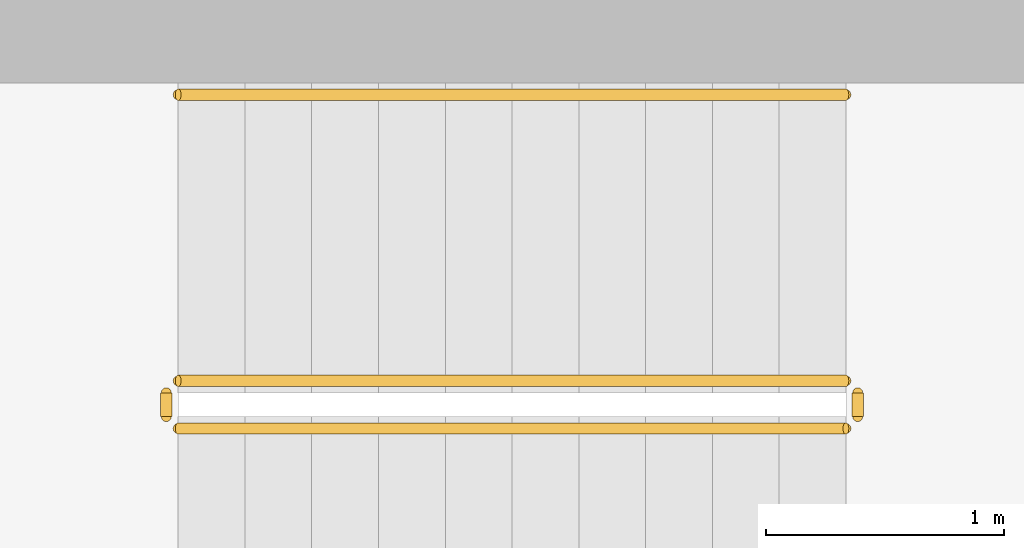
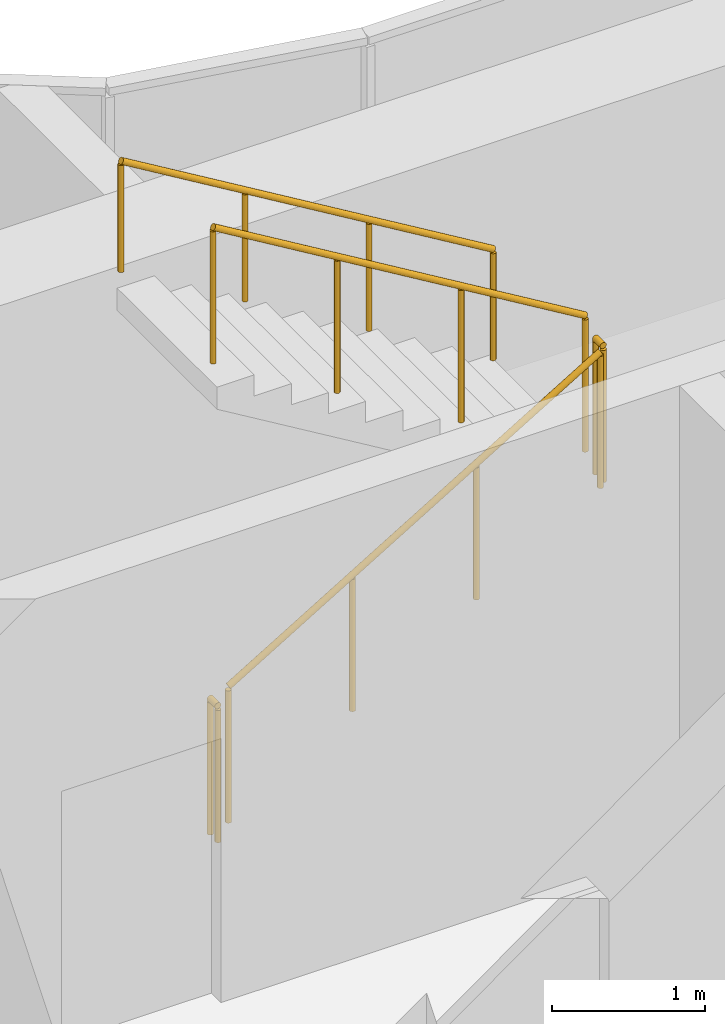
# One storey, part 19 of 22: 5 railings.
"""IFC4 building model written with IfcOpenShell, lengths in metres."""

from ifc_helpers import new_model, si_unit, direction, frame, origin, origin_2d, place, context, subcontext, project, spatial, circle, extrude, material, type_object, element, save


model = new_model("IFC4")

# Units and contexts
model_context = context("Model", 3, precision=1e-05, world=origin(), true_north=direction((0.0, 1.0)))
body_context = subcontext(model_context, "Body", "Model", "MODEL_VIEW")
ifc_project = project(units=[si_unit("LENGTHUNIT", "METRE"), si_unit("AREAUNIT", "SQUARE_METRE"), si_unit("VOLUMEUNIT", "CUBIC_METRE"), si_unit("PLANEANGLEUNIT", "RADIAN"), si_unit("MASSUNIT", "GRAM", prefix="KILO")], contexts=[model_context])

# Site, building, storey
site_placement = place(None, origin())
site = spatial("IfcSite", under=ifc_project, at=site_placement, CompositionType="ELEMENT")
building_placement = place(site_placement, origin())
building = spatial("IfcBuilding", under=site, at=building_placement, Name="Ogive Portal Towers", CompositionType="ELEMENT")
storey_placement = place(building_placement, frame((0.0, 0.0, 113.0)))
storey = spatial("IfcBuildingStorey", under=building, at=storey_placement, Name="L27", CompositionType="ELEMENT", Elevation=113.0)

# Railings
ifc_material_1 = material(Name="Stainless steel balustrade", Category="steel")
railing_type_1 = type_object("IfcRailingType", Name="INT-GUARD", PredefinedType="GUARDRAIL", material=ifc_material_1)
railing_1_placement = place(storey_placement, frame((52.550048828125, 37.60009765625, 0.168212890625)))
element("IfcRailing", 1, at=railing_1_placement, inside=storey, type_object=railing_type_1, Name="L27 ST-A2 stair guard 1", PredefinedType="GUARDRAIL", context=body_context, shape_type="SweptSolid", body=[
    extrude(circle(Radius=0.02392578125, at=origin_2d()), frame((0.0, 0.0, 1.076171875), z_axis=(0.857242210791, 0.0, 0.514913383045), x_axis=(0.0, 1.0, 0.0)), (0.0, 0.0, 1.0), 3.266357421875),
    extrude(circle(Radius=0.02099609375, at=origin_2d()), origin(), (0.0, 0.0, 1.0), 1.052001953125),
    extrude(circle(Radius=0.02099609375, at=origin_2d()), frame((0.933349609375, 0.0, 0.560546875)), (0.0, 0.0, 1.0), 1.052001953125),
    extrude(circle(Radius=0.02099609375, at=origin_2d()), frame((1.86669921875, 0.0, 1.121337890625)), (0.0, 0.0, 1.0), 1.052001953125),
    extrude(circle(Radius=0.02099609375, at=origin_2d()), frame((2.800048828125, 0.0, 1.681884765625)), (0.0, 0.0, 1.0), 1.052001953125),
])
railing_2_placement = place(storey_placement, frame((55.39990234375, 37.64990234375, 1.85009765625)))
element("IfcRailing", 2, at=railing_2_placement, inside=storey, type_object=railing_type_1, Name="L27 ST-A2 stair guard 2", PredefinedType="GUARDRAIL", context=body_context, shape_type="SweptSolid", body=[
    extrude(circle(Radius=0.02392578125, at=origin_2d()), frame((0.0, 0.0, 1.076171875), z_axis=(0.0, 1.0, 0.0), x_axis=(-1.0, 0.0, 0.0)), (0.0, 0.0, 1.0), 0.10009765625),
    extrude(circle(Radius=0.02099609375, at=origin_2d()), origin(), (0.0, 0.0, 1.0), 1.052001953125),
    extrude(circle(Radius=0.02099609375, at=origin_2d()), frame((0.0, 0.10009765625, 0.0)), (0.0, 0.0, 1.0), 1.052001953125),
])
railing_3_placement = place(storey_placement, frame((55.35009765625, 37.800048828125, 2.01806640625)))
element("IfcRailing", 3, at=railing_3_placement, inside=storey, type_object=railing_type_1, Name="L27 ST-A2 stair guard 3", PredefinedType="GUARDRAIL", context=body_context, shape_type="SweptSolid", body=[
    extrude(circle(Radius=0.02392578125, at=origin_2d()), frame((0.0, 0.0, 1.076171875), z_axis=(-0.857242210791, 0.0, 0.514913383045), x_axis=(0.0, -1.0, 0.0)), (0.0, 0.0, 1.0), 3.266357421875),
    extrude(circle(Radius=0.02099609375, at=origin_2d()), origin(), (0.0, 0.0, 1.0), 1.052001953125),
    extrude(circle(Radius=0.02099609375, at=origin_2d()), frame((-0.933349609375, 0.0, 0.560546875)), (0.0, 0.0, 1.0), 1.052001953125),
    extrude(circle(Radius=0.02099609375, at=origin_2d()), frame((-1.86669921875, 0.0, 1.121337890625)), (0.0, 0.0, 1.0), 1.052001953125),
    extrude(circle(Radius=0.02099609375, at=origin_2d()), frame((-2.800048828125, 0.0, 1.681884765625)), (0.0, 0.0, 1.0), 1.052001953125),
])
railing_4_placement = place(storey_placement, frame((52.5, 37.64990234375, 0.0)))
element("IfcRailing", 4, at=railing_4_placement, inside=storey, type_object=railing_type_1, Name="L27 ST-A2 stair guard 4", PredefinedType="GUARDRAIL", context=body_context, shape_type="SweptSolid", body=[
    extrude(circle(Radius=0.02392578125, at=origin_2d()), frame((0.0, 0.0, 1.076171875), z_axis=(0.0, 1.0, 0.0), x_axis=(-1.0, 0.0, 0.0)), (0.0, 0.0, 1.0), 0.10009765625),
    extrude(circle(Radius=0.02099609375, at=origin_2d()), origin(), (0.0, 0.0, 1.0), 1.052001953125),
    extrude(circle(Radius=0.02099609375, at=origin_2d()), frame((0.0, 0.10009765625, 0.0)), (0.0, 0.0, 1.0), 1.052001953125),
])
ifc_material_2 = material(Name="Stainless steel handrail", Category="steel")
railing_type_2 = type_object("IfcRailingType", Name="INT-HANDRAIL", PredefinedType="HANDRAIL", material=ifc_material_2)
railing_5_placement = place(storey_placement, frame((55.35009765625, 39.0, 2.01806640625)))
element("IfcRailing", 5, at=railing_5_placement, inside=storey, type_object=railing_type_2, Name="L27 ST-A2 stair handrail 2", PredefinedType="HANDRAIL", context=body_context, shape_type="SweptSolid", body=[
    extrude(circle(Radius=0.02392578125, at=origin_2d()), frame((0.0, 0.0, 0.8759765625), z_axis=(-0.857242210791, 0.0, 0.514913383045), x_axis=(0.0, -1.0, 0.0)), (0.0, 0.0, 1.0), 3.266357421875),
    extrude(circle(Radius=0.02099609375, at=origin_2d()), origin(), (0.0, 0.0, 1.0), 0.851806640625),
    extrude(circle(Radius=0.02099609375, at=origin_2d()), frame((-0.933349609375, 0.0, 0.560546875)), (0.0, 0.0, 1.0), 0.851806640625),
    extrude(circle(Radius=0.02099609375, at=origin_2d()), frame((-1.86669921875, 0.0, 1.121337890625)), (0.0, 0.0, 1.0), 0.851806640625),
    extrude(circle(Radius=0.02099609375, at=origin_2d()), frame((-2.800048828125, 0.0, 1.681884765625)), (0.0, 0.0, 1.0), 0.851806640625),
])

save(model, "model.ifc")
